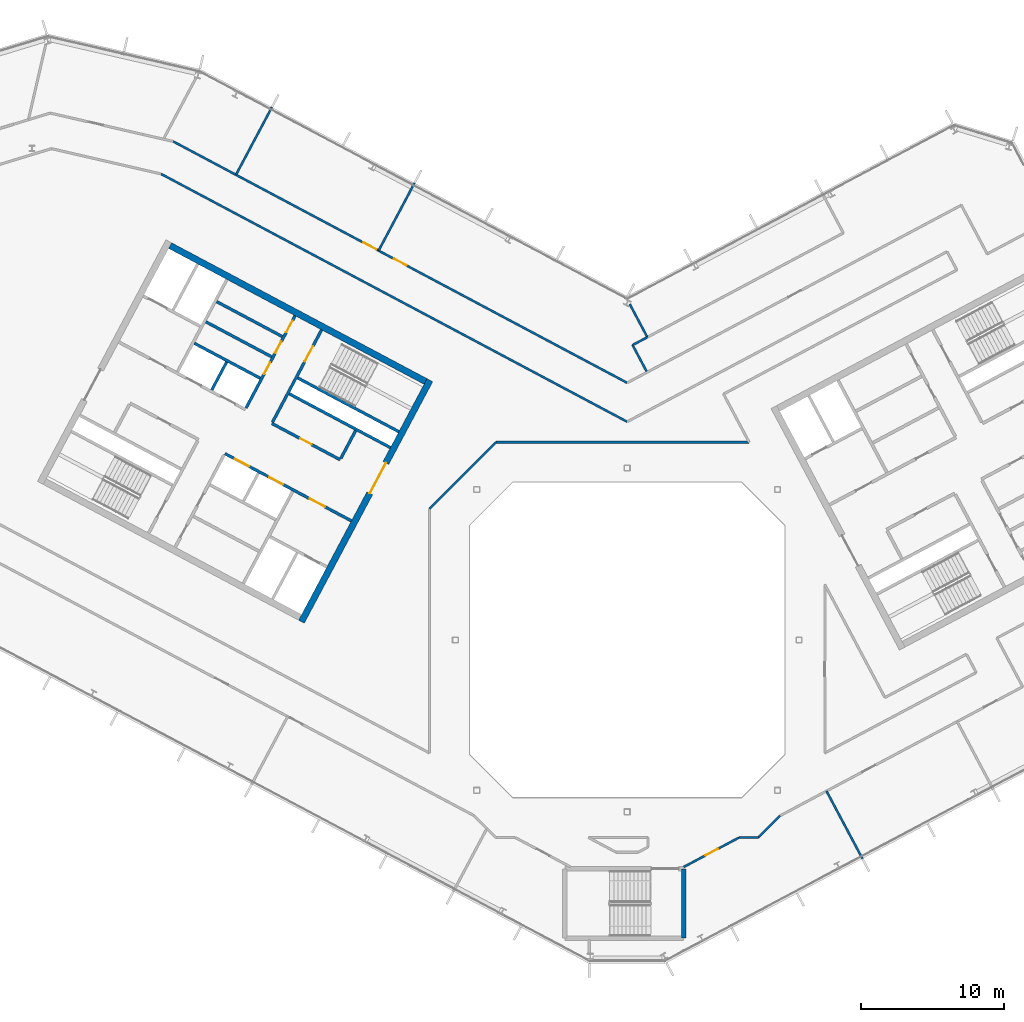
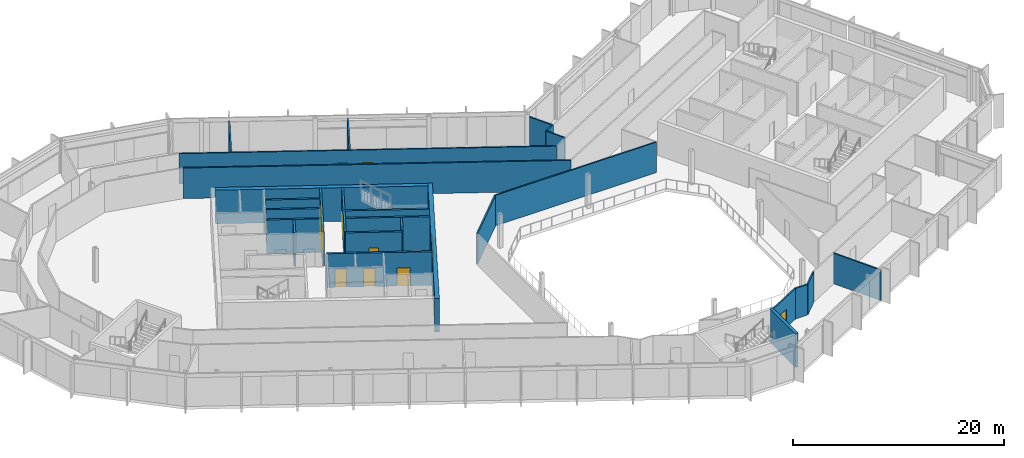
# One storey, part 15 of 26: 27 walls, 12 doors, 12 openings.
"""IFC4 building model written with IfcOpenShell, lengths in metres."""

from ifc_helpers import new_model, si_unit, direction, frame, frame_2d, origin, place, context, subcontext, project, spatial, rectangle, extrude, material, layer, layer_set, type_object, element, fill, save


model = new_model("IFC4")

# Units and contexts
model_context = context("Model", 3, precision=1e-05, world=origin(), true_north=direction((0.0, 1.0)))
body_context = subcontext(model_context, "Body", "Model", "MODEL_VIEW")
ifc_project = project(units=[si_unit("LENGTHUNIT", "METRE"), si_unit("AREAUNIT", "SQUARE_METRE"), si_unit("VOLUMEUNIT", "CUBIC_METRE"), si_unit("PLANEANGLEUNIT", "RADIAN"), si_unit("MASSUNIT", "GRAM", prefix="KILO")], contexts=[model_context])

# Site, building, storey
site_placement = place(None, origin())
site = spatial("IfcSite", under=ifc_project, at=site_placement, CompositionType="ELEMENT")
building_placement = place(site_placement, origin())
building = spatial("IfcBuilding", under=site, at=building_placement, Name="Cormorant Relay Tower", CompositionType="ELEMENT")
storey_placement = place(building_placement, frame((0.0, 0.0, 308.699951171875)))
storey = spatial("IfcBuildingStorey", under=building, at=storey_placement, Name="L70", CompositionType="ELEMENT", Elevation=308.699951171875)

# Walls
ifc_material_1 = material(Name="Concrete 40 MPa", Category="concrete")
ifc_layer_1 = layer(ifc_material_1, 0.199951171875)
ifc_layer_set_1 = layer_set([ifc_layer_1], Name="Core internal wall 200")
wall_type_1 = type_object("IfcWallType", Name="Core internal wall 200", PredefinedType="SOLIDWALL", material=ifc_layer_set_1)
wall_1_placement = place(storey_placement, frame((-27.9658203125, 19.39990234375, 0.0), z_axis=(0.0, 0.0, 1.0), x_axis=(-0.4694473164, -0.882960484464, 0.0)))
element("IfcWall", 1, at=wall_1_placement, inside=storey, type_object=wall_type_1, Name="L70 core A shaft and room wall", PredefinedType="SOLIDWALL", context=body_context, shape_type="SweptSolid", body=[
    extrude(rectangle(XDim=2.199951171875, YDim=0.199951171875, at=frame_2d((1.10009765625, 0.0))), origin(), (0.0, 0.0, 1.0), 3.900146484375),
])
for number, where, z_axis, x_axis, name in (
    (2, (-24.073974609375, 21.181396484375, 0.0), (0.0, 0.0, 1.0), (-0.882953967957, 0.469459572775, 0.0), "L70 core A shaft and room wall"),
    (3, (-24.824951171875, 19.7685546875, 0.0), (0.0, 0.0, 1.0), (-0.882934506056, 0.469496174655, 0.0), "L70 core A shaft and room wall"),
):
    element("IfcWall", number, at=place(storey_placement, frame(where, z_axis=z_axis, x_axis=x_axis)), inside=storey, type_object=wall_type_1, Name=name, PredefinedType="SOLIDWALL", context=body_context, shape_type="SweptSolid", body=[
        extrude(rectangle(XDim=5.199951171875, YDim=0.199951171875, at=frame_2d((2.60009765625, 0.0))), origin(), (0.0, 0.0, 1.0), 3.900146484375),
    ])
ifc_material_2 = material(Name="Concrete 50 MPa", Category="concrete")
ifc_layer_2 = layer(ifc_material_2, 0.199951171875)
ifc_layer_set_2 = layer_set([ifc_layer_2], Name="Core shaft wall 200")
wall_type_2 = type_object("IfcWallType", Name="Core shaft wall 200", PredefinedType="SHEAR", material=ifc_layer_set_2)
wall_2_placement = place(storey_placement, frame((-18.959716796875, 14.611328125, 0.0), z_axis=(0.0, 0.0, 1.0), x_axis=(-0.4694473164, -0.882960484464, 0.0)))
element("IfcWall", 4, at=wall_2_placement, inside=storey, type_object=wall_type_2, Name="L70 core A shaft wall", PredefinedType="SHEAR", context=body_context, shape_type="SweptSolid", body=[
    extrude(rectangle(XDim=2.199951171875, YDim=0.199951171875, at=frame_2d((1.10009765625, 0.0))), origin(), (0.0, 0.0, 1.0), 3.900146484375),
])

# Wall, opening, door
wall_3_placement = place(storey_placement, frame((-21.333251953125, 21.6494140625, 0.0), z_axis=(0.0, 0.0, 1.0), x_axis=(-0.469494272526, -0.882935517501, 0.0)))
wall_3 = element("IfcWall", 5, at=wall_3_placement, inside=storey, type_object=wall_type_2, Name="L70 core A shaft wall", PredefinedType="SHEAR", context=body_context, shape_type="SweptSolid", body=[
    extrude(rectangle(XDim=7.2998046875, YDim=0.199951171875, at=frame_2d((3.64990234375, 0.0))), origin(), (0.0, 0.0, 1.0), 3.900146484375),
])
opening_1_placement = place(wall_3_placement, frame((1.300048828125, 0.0, 0.0)))
opening_1 = element("IfcOpeningElement", 6, at=opening_1_placement, cuts=wall_3, Name="Opening CDB-038", PredefinedType="OPENING", context=body_context, shape_type="SweptSolid", body=[
    extrude(rectangle(XDim=1.199951171875, YDim=2.10009765625, at=frame_2d((0.60009765625, 1.050048828125))), frame((0.0, 0.10986328125, 0.0), z_axis=(0.0, -1.0, 0.0), x_axis=(1.0, 0.0, 0.0)), (0.0, 0.0, 1.0), 0.219970703125),
])
ifc_material_3 = material(Name="Steel fire door", Category="steel")
door_type_1 = type_object("IfcDoorType", Name="Core stair door 1200x2100", OperationType="SINGLE_SWING_LEFT", PredefinedType="DOOR", material=ifc_material_3)
door_1_placement = place(opening_1_placement, origin())
door_1 = element("IfcDoor", 7, at=door_1_placement, inside=storey, type_object=door_type_1, Name="Core stair door 1200x2100", OperationType="SINGLE_SWING_RIGHT", OverallHeight=2.10009765625, OverallWidth=1.199951171875, PredefinedType="DOOR", context=body_context, shape_type="SweptSolid", body=[
    extrude(rectangle(XDim=1.199951171875, YDim=2.10009765625, at=frame_2d((0.60009765625, 1.050048828125))), frame((0.0, 0.02490234375, 0.0), z_axis=(0.0, -1.0, 0.0), x_axis=(1.0, 0.0, 0.0)), (0.0, 0.0, 1.0), 0.050048828125),
])
fill(opening_1, door_1)

# Wall, openings, doors
wall_4_placement = place(storey_placement, frame((-23.1875, 22.635498046875, 0.0), z_axis=(0.0, 0.0, 1.0), x_axis=(-0.469454336211, -0.882956752176, 0.0)))
wall_4 = element("IfcWall", 8, at=wall_4_placement, inside=storey, type_object=wall_type_2, Name="L70 core A shaft wall", PredefinedType="SHEAR", context=body_context, shape_type="SweptSolid", body=[
    extrude(rectangle(XDim=7.300048828125, YDim=0.199951171875, at=frame_2d((3.64990234375, 0.0))), origin(), (0.0, 0.0, 1.0), 3.900146484375),
])
opening_2_placement = place(wall_4_placement, frame((0.39990234375, 0.0, 0.0)))
opening_2 = element("IfcOpeningElement", 9, at=opening_2_placement, cuts=wall_4, Name="Opening CDD-347", PredefinedType="OPENING", context=body_context, shape_type="SweptSolid", body=[
    extrude(rectangle(XDim=0.89990234375, YDim=2.10009765625, at=frame_2d((0.449951171875, 1.050048828125))), frame((0.0, 0.10986328125, 0.0), z_axis=(0.0, -1.0, 0.0), x_axis=(1.0, 0.0, 0.0)), (0.0, 0.0, 1.0), 0.219970703125),
])
opening_3_placement = place(wall_4_placement, frame((2.050048828125, 0.0, 0.0)))
opening_3 = element("IfcOpeningElement", 10, at=opening_3_placement, cuts=wall_4, Name="Opening CDD-292", PredefinedType="OPENING", context=body_context, shape_type="SweptSolid", body=[
    extrude(rectangle(XDim=0.89990234375, YDim=2.10009765625, at=frame_2d((0.449951171875, 1.050048828125))), frame((0.0, 0.10986328125, 0.0), z_axis=(0.0, -1.0, 0.0), x_axis=(1.0, 0.0, 0.0)), (0.0, 0.0, 1.0), 0.219970703125),
])
opening_4_placement = place(wall_4_placement, frame((3.699951171875, 0.0, 0.0)))
opening_4 = element("IfcOpeningElement", 11, at=opening_4_placement, cuts=wall_4, Name="Opening CDD-331", PredefinedType="OPENING", context=body_context, shape_type="SweptSolid", body=[
    extrude(rectangle(XDim=0.89990234375, YDim=2.10009765625, at=frame_2d((0.449951171875, 1.050048828125))), frame((0.0, 0.10986328125, 0.0), z_axis=(0.0, -1.0, 0.0), x_axis=(1.0, 0.0, 0.0)), (0.0, 0.0, 1.0), 0.219970703125),
])
ifc_material_4 = material(Name="Steel fire door", Category="steel")
door_type_2 = type_object("IfcDoorType", Name="Core room door 900x2100", OperationType="SINGLE_SWING_LEFT", PredefinedType="DOOR", material=ifc_material_4)
door_2_placement = place(opening_2_placement, origin())
door_2 = element("IfcDoor", 12, at=door_2_placement, inside=storey, type_object=door_type_2, Name="Core room door 900x2100", OperationType="SINGLE_SWING_LEFT", OverallHeight=2.10009765625, OverallWidth=0.89990234375, PredefinedType="DOOR", context=body_context, shape_type="SweptSolid", body=[
    extrude(rectangle(XDim=0.89990234375, YDim=2.10009765625, at=frame_2d((0.449951171875, 1.050048828125))), frame((0.0, 0.02490234375, 0.0), z_axis=(0.0, -1.0, 0.0), x_axis=(1.0, 0.0, 0.0)), (0.0, 0.0, 1.0), 0.050048828125),
])
fill(opening_2, door_2)
door_3_placement = place(opening_3_placement, origin())
door_3 = element("IfcDoor", 13, at=door_3_placement, inside=storey, type_object=door_type_2, Name="Core room door 900x2100", OperationType="SINGLE_SWING_LEFT", OverallHeight=2.10009765625, OverallWidth=0.89990234375, PredefinedType="DOOR", context=body_context, shape_type="SweptSolid", body=[
    extrude(rectangle(XDim=0.89990234375, YDim=2.10009765625, at=frame_2d((0.449951171875, 1.050048828125))), frame((0.0, 0.02490234375, 0.0), z_axis=(0.0, -1.0, 0.0), x_axis=(1.0, 0.0, 0.0)), (0.0, 0.0, 1.0), 0.050048828125),
])
fill(opening_3, door_3)
door_4_placement = place(opening_4_placement, origin())
door_4 = element("IfcDoor", 14, at=door_4_placement, inside=storey, type_object=door_type_2, Name="Core room door 900x2100", OperationType="SINGLE_SWING_LEFT", OverallHeight=2.10009765625, OverallWidth=0.89990234375, PredefinedType="DOOR", context=body_context, shape_type="SweptSolid", body=[
    extrude(rectangle(XDim=0.89990234375, YDim=2.10009765625, at=frame_2d((0.449951171875, 1.050048828125))), frame((0.0, 0.02490234375, 0.0), z_axis=(0.0, -1.0, 0.0), x_axis=(1.0, 0.0, 0.0)), (0.0, 0.0, 1.0), 0.050048828125),
])
fill(opening_4, door_4)

# Walls
wall_5_placement = place(storey_placement, frame((-15.94189453125, 14.53564453125, 0.0), z_axis=(0.0, 0.0, 1.0), x_axis=(-0.882946947542, 0.469472776449, 0.0)))
element("IfcWall", 15, at=wall_5_placement, inside=storey, type_object=wall_type_2, Name="L70 core A shaft wall", PredefinedType="SHEAR", context=body_context, shape_type="SweptSolid", body=[
    extrude(rectangle(XDim=8.000244140625, YDim=0.199951171875, at=frame_2d((4.0, 0.0))), origin(), (0.0, 0.0, 1.0), 3.900146484375),
])
wall_6_placement = place(storey_placement, frame((-16.52880859375, 13.43212890625, 0.0), z_axis=(0.0, 0.0, 1.0), x_axis=(-0.88295287151, 0.469461634952, 0.0)))
element("IfcWall", 16, at=wall_6_placement, inside=storey, type_object=wall_type_2, Name="L70 core A shaft wall", PredefinedType="SHEAR", context=body_context, shape_type="SweptSolid", body=[
    extrude(rectangle(XDim=7.999755859375, YDim=0.199951171875, at=frame_2d((4.0, 0.0))), origin(), (0.0, 0.0, 1.0), 3.900146484375),
])
wall_7_placement = place(storey_placement, frame((-25.623046875, 18.267578125, 0.0), z_axis=(0.0, 0.0, 1.0), x_axis=(-0.882953967957, 0.469459572775, 0.0)))
element("IfcWall", 17, at=wall_7_placement, inside=storey, type_object=wall_type_2, Name="L70 core A shaft wall", PredefinedType="SHEAR", context=body_context, shape_type="SweptSolid", body=[
    extrude(rectangle(XDim=5.199951171875, YDim=0.199951171875, at=frame_2d((2.60009765625, 0.0))), origin(), (0.0, 0.0, 1.0), 3.900146484375),
])

# Wall, opening, door
wall_8_placement = place(storey_placement, frame((-20.03955078125, 12.58056640625, 0.0), z_axis=(0.0, 0.0, 1.0), x_axis=(-0.882942972946, 0.469480251476, 0.0)))
wall_8 = element("IfcWall", 18, at=wall_8_placement, inside=storey, type_object=wall_type_2, Name="L70 core A shaft wall", PredefinedType="SHEAR", context=body_context, shape_type="SweptSolid", body=[
    extrude(rectangle(XDim=5.39990234375, YDim=0.199951171875, at=frame_2d((2.699951171875, 0.0))), origin(), (0.0, 0.0, 1.0), 3.900146484375),
])
opening_5_placement = place(wall_8_placement, frame((2.25, 0.0, 0.0)))
opening_5 = element("IfcOpeningElement", 19, at=opening_5_placement, cuts=wall_8, Name="Opening CDD-319", PredefinedType="OPENING", context=body_context, shape_type="SweptSolid", body=[
    extrude(rectangle(XDim=0.89990234375, YDim=2.10009765625, at=frame_2d((0.449951171875, 1.050048828125))), frame((0.0, 0.10986328125, 0.0), z_axis=(0.0, -1.0, 0.0), x_axis=(1.0, 0.0, 0.0)), (0.0, 0.0, 1.0), 0.219970703125),
])
door_5_placement = place(opening_5_placement, origin())
door_5 = element("IfcDoor", 20, at=door_5_placement, inside=storey, type_object=door_type_2, Name="Core room door 900x2100", OperationType="SINGLE_SWING_LEFT", OverallHeight=2.10009765625, OverallWidth=0.89990234375, PredefinedType="DOOR", context=body_context, shape_type="SweptSolid", body=[
    extrude(rectangle(XDim=0.89990234375, YDim=2.10009765625, at=frame_2d((0.449951171875, 1.050048828125))), frame((0.0, 0.02490234375, 0.0), z_axis=(0.0, -1.0, 0.0), x_axis=(1.0, 0.0, 0.0)), (0.0, 0.0, 1.0), 0.050048828125),
])
fill(opening_5, door_5)

# Wall, openings, doors
wall_9_placement = place(storey_placement, frame((-19.251708984375, 8.31103515625, 0.0), z_axis=(0.0, 0.0, 1.0), x_axis=(-0.882955722218, 0.469456273365, 0.0)))
wall_9 = element("IfcWall", 21, at=wall_9_placement, inside=storey, type_object=wall_type_2, Name="L70 core A shaft wall", PredefinedType="SHEAR", context=body_context, shape_type="SweptSolid", body=[
    extrude(rectangle(XDim=10.0, YDim=0.199951171875, at=frame_2d((5.0, 0.0))), origin(), (0.0, 0.0, 1.0), 3.900146484375),
])
opening_6_placement = place(wall_9_placement, frame((2.10009765625, 0.0, 0.0)))
opening_6 = element("IfcOpeningElement", 22, at=opening_6_placement, cuts=wall_9, Name="Opening CDC-033", PredefinedType="OPENING", context=body_context, shape_type="SweptSolid", body=[
    extrude(rectangle(XDim=1.199951171875, YDim=2.10009765625, at=frame_2d((0.60009765625, 1.050048828125))), frame((0.0, 0.10986328125, 0.0), z_axis=(0.0, -1.0, 0.0), x_axis=(1.0, 0.0, 0.0)), (0.0, 0.0, 1.0), 0.219970703125),
])
opening_7_placement = place(wall_9_placement, frame((5.39990234375, 0.0, 0.0)))
opening_7 = element("IfcOpeningElement", 23, at=opening_7_placement, cuts=wall_9, Name="Opening LD1-065", PredefinedType="OPENING", context=body_context, shape_type="SweptSolid", body=[
    extrude(rectangle(XDim=1.10009765625, YDim=2.10009765625, at=frame_2d((0.550048828125, 1.050048828125))), frame((0.0, 0.10986328125, 0.0), z_axis=(0.0, -1.0, 0.0), x_axis=(1.0, 0.0, 0.0)), (0.0, 0.0, 1.0), 0.219970703125),
])
opening_8_placement = place(wall_9_placement, frame((8.10009765625, 0.0, 0.0)))
opening_8 = element("IfcOpeningElement", 24, at=opening_8_placement, cuts=wall_9, Name="Opening LD1-066", PredefinedType="OPENING", context=body_context, shape_type="SweptSolid", body=[
    extrude(rectangle(XDim=1.10009765625, YDim=2.10009765625, at=frame_2d((0.550048828125, 1.050048828125))), frame((0.0, 0.10986328125, 0.0), z_axis=(0.0, -1.0, 0.0), x_axis=(1.0, 0.0, 0.0)), (0.0, 0.0, 1.0), 0.219970703125),
])
ifc_material_5 = material(Name="Steel fire door", Category="steel")
door_type_3 = type_object("IfcDoorType", Name="Core lobby door 1200x2100", OperationType="SINGLE_SWING_LEFT", PredefinedType="DOOR", material=ifc_material_5)
door_6_placement = place(opening_6_placement, origin())
door_6 = element("IfcDoor", 25, at=door_6_placement, inside=storey, type_object=door_type_3, Name="Core lobby door 1200x2100", OperationType="SINGLE_SWING_RIGHT", OverallHeight=2.10009765625, OverallWidth=1.199951171875, PredefinedType="DOOR", context=body_context, shape_type="SweptSolid", body=[
    extrude(rectangle(XDim=1.199951171875, YDim=2.10009765625, at=frame_2d((0.60009765625, 1.050048828125))), frame((0.0, 0.02490234375, 0.0), z_axis=(0.0, -1.0, 0.0), x_axis=(1.0, 0.0, 0.0)), (0.0, 0.0, 1.0), 0.050048828125),
])
fill(opening_6, door_6)
ifc_material_6 = material(Name="Stainless steel 316", Category="steel")
door_type_4 = type_object("IfcDoorType", Name="Lift landing door 1100x2100", OperationType="DOUBLE_DOOR_SLIDING", PredefinedType="DOOR", material=ifc_material_6)
door_7_placement = place(opening_7_placement, origin())
door_7 = element("IfcDoor", 26, at=door_7_placement, inside=storey, type_object=door_type_4, Name="HR1 landing door", OperationType="DOUBLE_DOOR_SLIDING", OverallHeight=2.10009765625, OverallWidth=1.10009765625, PredefinedType="DOOR", context=body_context, shape_type="SweptSolid", body=[
    extrude(rectangle(XDim=1.10009765625, YDim=2.10009765625, at=frame_2d((0.550048828125, 1.050048828125))), frame((0.0, 0.02490234375, 0.0), z_axis=(0.0, -1.0, 0.0), x_axis=(1.0, 0.0, 0.0)), (0.0, 0.0, 1.0), 0.050048828125),
])
fill(opening_7, door_7)
door_8_placement = place(opening_8_placement, origin())
door_8 = element("IfcDoor", 27, at=door_8_placement, inside=storey, type_object=door_type_4, Name="HR2 landing door", OperationType="DOUBLE_DOOR_SLIDING", OverallHeight=2.10009765625, OverallWidth=1.10009765625, PredefinedType="DOOR", context=body_context, shape_type="SweptSolid", body=[
    extrude(rectangle(XDim=1.10009765625, YDim=2.10009765625, at=frame_2d((0.550048828125, 1.050048828125))), frame((0.0, 0.02490234375, 0.0), z_axis=(0.0, -1.0, 0.0), x_axis=(1.0, 0.0, 0.0)), (0.0, 0.0, 1.0), 0.050048828125),
])
fill(opening_8, door_8)

# Wall, opening, door
ifc_material_7 = material(Name="Concrete 50 MPa", Category="concrete")
ifc_layer_3 = layer(ifc_material_7, 0.449951171875)
ifc_layer_set_3 = layer_set([ifc_layer_3], Name="Core wall 450")
wall_type_3 = type_object("IfcWallType", Name="Core wall 450", PredefinedType="SHEAR", material=ifc_layer_set_3)
wall_10_placement = place(storey_placement, frame((-13.771484375, 18.138427734375, 0.0), z_axis=(0.0, 0.0, 1.0), x_axis=(-0.469467968382, -0.882949504028, 0.0)))
wall_10 = element("IfcWall", 28, at=wall_10_placement, inside=storey, type_object=wall_type_3, Name="L70 core A wall", PredefinedType="SHEAR", context=body_context, shape_type="SweptSolid", body=[
    extrude(rectangle(XDim=19.099853515625, YDim=0.449951171875, at=frame_2d((9.5498046875, 0.0))), origin(), (0.0, 0.0, 1.0), 3.900146484375),
])
opening_9_placement = place(wall_10_placement, frame((6.550048828125, 0.0, 0.0)))
opening_9 = element("IfcOpeningElement", 29, at=opening_9_placement, cuts=wall_10, Name="Opening CDA-050", PredefinedType="OPENING", context=body_context, shape_type="SweptSolid", body=[
    extrude(rectangle(XDim=2.39990234375, YDim=2.39990234375, at=frame_2d((1.199951171875, 1.199951171875))), frame((0.0, 0.23486328125, 0.0), z_axis=(0.0, -1.0, 0.0), x_axis=(1.0, 0.0, 0.0)), (0.0, 0.0, 1.0), 0.469970703125),
])
ifc_material_8 = material(Name="Steel fire door", Category="steel")
door_type_5 = type_object("IfcDoorType", Name="Core lobby door 2400x2400", OperationType="DOUBLE_DOOR_SINGLE_SWING", PredefinedType="DOOR", material=ifc_material_8)
door_9_placement = place(opening_9_placement, origin())
door_9 = element("IfcDoor", 30, at=door_9_placement, inside=storey, type_object=door_type_5, Name="Core lobby door 2400x2400", OperationType="DOUBLE_DOOR_SINGLE_SWING", OverallHeight=2.39990234375, OverallWidth=2.39990234375, PredefinedType="DOOR", context=body_context, shape_type="SweptSolid", body=[
    extrude(rectangle(XDim=2.39990234375, YDim=2.39990234375, at=frame_2d((1.199951171875, 1.199951171875))), frame((0.0, 0.02490234375, 0.0), z_axis=(0.0, -1.0, 0.0), x_axis=(1.0, 0.0, 0.0)), (0.0, 0.0, 1.0), 0.050048828125),
])
fill(opening_9, door_9)

# Walls
wall_11_placement = place(storey_placement, frame((-14.07568359375, 18.04541015625, 0.0), z_axis=(0.0, 0.0, 1.0), x_axis=(-0.882947755831, 0.46947125628, 0.0)))
element("IfcWall", 31, at=wall_11_placement, inside=storey, type_object=wall_type_3, Name="L70 core A wall", PredefinedType="SHEAR", context=body_context, shape_type="SweptSolid", body=[
    extrude(rectangle(XDim=20.2001953125, YDim=0.449951171875, at=frame_2d((10.10009765625, 0.0))), origin(), (0.0, 0.0, 1.0), 3.900146484375),
])
ifc_material_9 = material(Name="Gypsum board fire partition")
ifc_layer_4 = layer(ifc_material_9, 0.14990234375)
ifc_layer_set_4 = layer_set([ifc_layer_4], Name="Corridor partition 150 EI 60")
wall_type_4 = type_object("IfcWallType", Name="Corridor partition 150 EI 60", PredefinedType="PARTITIONING", material=ifc_layer_set_4)
wall_12_placement = place(storey_placement, frame((-32.541015625, 32.534912109375, 0.0), z_axis=(0.0, 0.0, 1.0), x_axis=(0.882951675281, -0.469463884787, 0.0)))
element("IfcWall", 32, at=wall_12_placement, inside=storey, type_object=wall_type_4, Name="wall/L70/part/016", PredefinedType="PARTITIONING", context=body_context, shape_type="SweptSolid", body=[
    extrude(rectangle(XDim=36.854736328125, YDim=0.14990234375, at=frame_2d((18.42724609375, 0.0))), origin(), (0.0, 0.0, 1.0), 3.5400390625),
])
wall_13_placement = place(storey_placement, frame((8.51806640625, 13.800048828125, 0.0), z_axis=(0.0, 0.0, 1.0), x_axis=(-1.0, 0.0, 0.0)))
element("IfcWall", 33, at=wall_13_placement, inside=storey, type_object=wall_type_4, Name="wall/L70/part/021", PredefinedType="PARTITIONING", context=body_context, shape_type="SweptSolid", body=[
    extrude(rectangle(XDim=17.677978515625, YDim=0.14990234375, at=frame_2d((8.8388671875, 0.0))), origin(), (0.0, 0.0, 1.0), 3.5400390625),
])
wall_14_placement = place(storey_placement, frame((-9.159912109375, 13.800048828125, 0.0), z_axis=(0.0, 0.0, 1.0), x_axis=(-0.707106781187, -0.707106781187, 0.0)))
element("IfcWall", 34, at=wall_14_placement, inside=storey, type_object=wall_type_4, Name="wall/L70/part/022", PredefinedType="PARTITIONING", context=body_context, shape_type="SweptSolid", body=[
    extrude(rectangle(XDim=6.562255859375, YDim=0.14990234375, at=frame_2d((3.28125, 0.0))), origin(), (0.0, 0.0, 1.0), 3.5400390625),
])

# Wall, openings, doors
wall_15_placement = place(storey_placement, frame((-31.693115234375, 34.802978515625, 0.0), z_axis=(0.0, 0.0, 1.0), x_axis=(0.882941558982, -0.469482910683, 0.0)))
wall_15 = element("IfcWall", 35, at=wall_15_placement, inside=storey, type_object=wall_type_4, Name="wall/L70/part/039", PredefinedType="PARTITIONING", context=body_context, shape_type="SweptSolid", body=[
    extrude(rectangle(XDim=35.89501953125, YDim=0.14990234375, at=frame_2d((17.947509765625, 0.0))), origin(), (0.0, 0.0, 1.0), 3.5400390625),
])
opening_10_placement = place(wall_15_placement, frame((17.449951171875, 0.0, 0.0)))
opening_10 = element("IfcOpeningElement", 36, at=opening_10_placement, cuts=wall_15, Name="Opening DS-247", PredefinedType="OPENING", context=body_context, shape_type="SweptSolid", body=[
    extrude(rectangle(XDim=1.0, YDim=2.10009765625, at=frame_2d((0.5, 1.050048828125))), frame((0.0, 0.0849609375, 0.0), z_axis=(0.0, -1.0, 0.0), x_axis=(1.0, 0.0, 0.0)), (0.0, 0.0, 1.0), 0.169921875),
])
opening_11_placement = place(wall_15_placement, frame((15.050048828125, 0.0, 0.0)))
opening_11 = element("IfcOpeningElement", 37, at=opening_11_placement, cuts=wall_15, Name="Opening DS-248", PredefinedType="OPENING", context=body_context, shape_type="SweptSolid", body=[
    extrude(rectangle(XDim=1.0, YDim=2.10009765625, at=frame_2d((0.5, 1.050048828125))), frame((0.0, 0.0849609375, 0.0), z_axis=(0.0, -1.0, 0.0), x_axis=(1.0, 0.0, 0.0)), (0.0, 0.0, 1.0), 0.169921875),
])
ifc_material_10 = material(Name="Timber door leaf", Category="wood")
door_type_6 = type_object("IfcDoorType", Name="Suite door 1000x2100", OperationType="SINGLE_SWING_LEFT", PredefinedType="DOOR", material=ifc_material_10)
door_10_placement = place(opening_10_placement, origin())
door_10 = element("IfcDoor", 38, at=door_10_placement, inside=storey, type_object=door_type_6, Name="door/L70/006", OperationType="SINGLE_SWING_LEFT", OverallHeight=2.10009765625, OverallWidth=1.0, PredefinedType="DOOR", context=body_context, shape_type="SweptSolid", body=[
    extrude(rectangle(XDim=1.0, YDim=2.10009765625, at=frame_2d((0.5, 1.050048828125))), frame((0.0, 0.02490234375, 0.0), z_axis=(0.0, -1.0, 0.0), x_axis=(1.0, 0.0, 0.0)), (0.0, 0.0, 1.0), 0.050048828125),
])
fill(opening_10, door_10)
door_11_placement = place(opening_11_placement, origin())
door_11 = element("IfcDoor", 39, at=door_11_placement, inside=storey, type_object=door_type_6, Name="door/L70/007", OperationType="SINGLE_SWING_RIGHT", OverallHeight=2.10009765625, OverallWidth=1.0, PredefinedType="DOOR", context=body_context, shape_type="SweptSolid", body=[
    extrude(rectangle(XDim=1.0, YDim=2.10009765625, at=frame_2d((0.5, 1.050048828125))), frame((0.0, 0.02490234375, 0.0), z_axis=(0.0, -1.0, 0.0), x_axis=(1.0, 0.0, 0.0)), (0.0, 0.0, 1.0), 0.050048828125),
])
fill(opening_11, door_11)

# Wall, opening, door
wall_16_placement = place(storey_placement, frame((7.806884765625, -13.800048828125, 0.0), z_axis=(0.0, 0.0, 1.0), x_axis=(-0.883014998399, -0.469344769442, 0.0)))
wall_16 = element("IfcWall", 40, at=wall_16_placement, inside=storey, type_object=wall_type_4, Name="wall/L70/part/055", PredefinedType="PARTITIONING", context=body_context, shape_type="SweptSolid", body=[
    extrude(rectangle(XDim=4.36328125, YDim=0.14990234375, at=frame_2d((2.181640625, 0.0))), origin(), (0.0, 0.0, 1.0), 3.5400390625),
])
opening_12_placement = place(wall_16_placement, frame((1.64990234375, 0.0, 0.0)))
opening_12 = element("IfcOpeningElement", 41, at=opening_12_placement, cuts=wall_16, Name="Opening DS-243", PredefinedType="OPENING", context=body_context, shape_type="SweptSolid", body=[
    extrude(rectangle(XDim=1.0, YDim=2.10009765625, at=frame_2d((0.5, 1.050048828125))), frame((0.0, 0.0849609375, 0.0), z_axis=(0.0, -1.0, 0.0), x_axis=(1.0, 0.0, 0.0)), (0.0, 0.0, 1.0), 0.169921875),
])
door_12_placement = place(opening_12_placement, origin())
door_12 = element("IfcDoor", 42, at=door_12_placement, inside=storey, type_object=door_type_6, Name="door/L70/002", OperationType="SINGLE_SWING_LEFT", OverallHeight=2.10009765625, OverallWidth=1.0, PredefinedType="DOOR", context=body_context, shape_type="SweptSolid", body=[
    extrude(rectangle(XDim=1.0, YDim=2.10009765625, at=frame_2d((0.5, 1.050048828125))), frame((0.0, 0.02490234375, 0.0), z_axis=(0.0, -1.0, 0.0), x_axis=(1.0, 0.0, 0.0)), (0.0, 0.0, 1.0), 0.050048828125),
])
fill(opening_12, door_12)

# Walls
wall_17_placement = place(storey_placement, frame((10.679931640625, -12.280029296875, 0.0), z_axis=(0.0, 0.0, 1.0), x_axis=(-0.707106781187, -0.707106781187, 0.0)))
element("IfcWall", 43, at=wall_17_placement, inside=storey, type_object=wall_type_4, Name="wall/L70/part/056", PredefinedType="PARTITIONING", context=body_context, shape_type="SweptSolid", body=[
    extrude(rectangle(XDim=2.149658203125, YDim=0.14990234375, at=frame_2d((1.07470703125, 0.0))), origin(), (0.0, 0.0, 1.0), 3.5400390625),
])
wall_18_placement = place(storey_placement, frame((9.159912109375, -13.800048828125, 0.0), z_axis=(0.0, 0.0, 1.0), x_axis=(-1.0, 0.0, 0.0)))
element("IfcWall", 44, at=wall_18_placement, inside=storey, type_object=wall_type_4, Name="wall/L70/part/057", PredefinedType="PARTITIONING", context=body_context, shape_type="SweptSolid", body=[
    extrude(rectangle(XDim=1.3388671875, YDim=0.14990234375, at=frame_2d((0.66943359375, 0.0))), origin(), (0.0, 0.0, 1.0), 3.5400390625),
])
ifc_material_11 = material(Name="Concrete 50 MPa", Category="concrete")
ifc_layer_5 = layer(ifc_material_11, 0.300048828125)
ifc_layer_set_5 = layer_set([ifc_layer_5], Name="Remote stair wall 300")
wall_type_5 = type_object("IfcWallType", Name="Remote stair wall 300", PredefinedType="SHEAR", material=ifc_layer_set_5)
wall_19_placement = place(storey_placement, frame((3.949951171875, -15.97509765625, 0.0), z_axis=(0.0, 0.0, 1.0), x_axis=(0.0, -1.0, 0.0)))
element("IfcWall", 45, at=wall_19_placement, inside=storey, type_object=wall_type_5, Name="L70 exit stair RK1 wall", PredefinedType="SHEAR", context=body_context, shape_type="SweptSolid", body=[
    extrude(rectangle(XDim=4.849853515625, YDim=0.300048828125, at=frame_2d((2.4248046875, 0.0))), origin(), (0.0, 0.0, 1.0), 3.900146484375),
])
ifc_material_12 = material(Name="Gypsum board partition")
ifc_layer_6 = layer(ifc_material_12, 0.14990234375)
ifc_layer_set_6 = layer_set([ifc_layer_6], Name="Tenant partition 150")
wall_type_6 = type_object("IfcWallType", Name="Tenant partition 150", PredefinedType="PARTITIONING", material=ifc_layer_set_6)
wall_20_placement = place(storey_placement, frame((-14.843994140625, 31.903076171875, 0.0), z_axis=(0.0, 0.0, 1.0), x_axis=(-0.469344284682, -0.883015256061, 0.0)))
element("IfcWall", 46, at=wall_20_placement, inside=storey, type_object=wall_type_6, Name="wall/L70/part/042", PredefinedType="PARTITIONING", context=body_context, shape_type="SweptSolid", body=[
    extrude(rectangle(XDim=5.35009765625, YDim=0.14990234375, at=frame_2d((2.675048828125, 0.0))), origin(), (0.0, 0.0, 1.0), 3.5400390625),
])
wall_21_placement = place(storey_placement, frame((-27.31201171875, 32.47412109375, 0.0), z_axis=(0.0, 0.0, 1.0), x_axis=(0.469581183092, 0.882889297979, 0.0)))
element("IfcWall", 47, at=wall_21_placement, inside=storey, type_object=wall_type_6, Name="wall/L70/part/043", PredefinedType="PARTITIONING", context=body_context, shape_type="SweptSolid", body=[
    extrude(rectangle(XDim=5.349365234375, YDim=0.14990234375, at=frame_2d((2.6748046875, 0.0))), origin(), (0.0, 0.0, 1.0), 3.5400390625),
])
wall_22_placement = place(storey_placement, frame((0.177978515625, 23.449951171875, 0.0), z_axis=(0.0, 0.0, 1.0), x_axis=(0.469495603372, -0.882934809833, 0.0)))
element("IfcWall", 48, at=wall_22_placement, inside=storey, type_object=wall_type_6, Name="wall/L70/part/050", PredefinedType="PARTITIONING", context=body_context, shape_type="SweptSolid", body=[
    extrude(rectangle(XDim=2.621826171875, YDim=0.14990234375, at=frame_2d((1.31103515625, 0.0))), origin(), (0.0, 0.0, 1.0), 3.5400390625),
])
wall_23_placement = place(storey_placement, frame((1.404052734375, 21.133056640625, 0.0), z_axis=(0.0, 0.0, 1.0), x_axis=(-0.882568125156, -0.47018454298, 0.0)))
element("IfcWall", 49, at=wall_23_placement, inside=storey, type_object=wall_type_6, Name="wall/L70/part/051", PredefinedType="PARTITIONING", context=body_context, shape_type="SweptSolid", body=[
    extrude(rectangle(XDim=1.16162109375, YDim=0.14990234375, at=frame_2d((0.580810546875, 0.0))), origin(), (0.0, 0.0, 1.0), 3.5400390625),
])
wall_24_placement = place(storey_placement, frame((1.360107421875, 18.741943359375, 0.0), z_axis=(0.0, 0.0, 1.0), x_axis=(-0.469357296394, 0.883008339894, 0.0)))
element("IfcWall", 50, at=wall_24_placement, inside=storey, type_object=wall_type_6, Name="wall/L70/part/052", PredefinedType="PARTITIONING", context=body_context, shape_type="SweptSolid", body=[
    extrude(rectangle(XDim=2.090576171875, YDim=0.14990234375, at=frame_2d((1.04541015625, 0.0))), origin(), (0.0, 0.0, 1.0), 3.5400390625),
])
wall_25_placement = place(storey_placement, frame((13.9169921875, -10.552001953125, 0.0), z_axis=(0.0, 0.0, 1.0), x_axis=(0.469581183092, -0.882889297979, 0.0)))
element("IfcWall", 51, at=wall_25_placement, inside=storey, type_object=wall_type_6, Name="wall/L70/part/058", PredefinedType="PARTITIONING", context=body_context, shape_type="SweptSolid", body=[
    extrude(rectangle(XDim=5.349365234375, YDim=0.14990234375, at=frame_2d((2.6748046875, 0.0))), origin(), (0.0, 0.0, 1.0), 3.5400390625),
])

save(model, "model.ifc")
